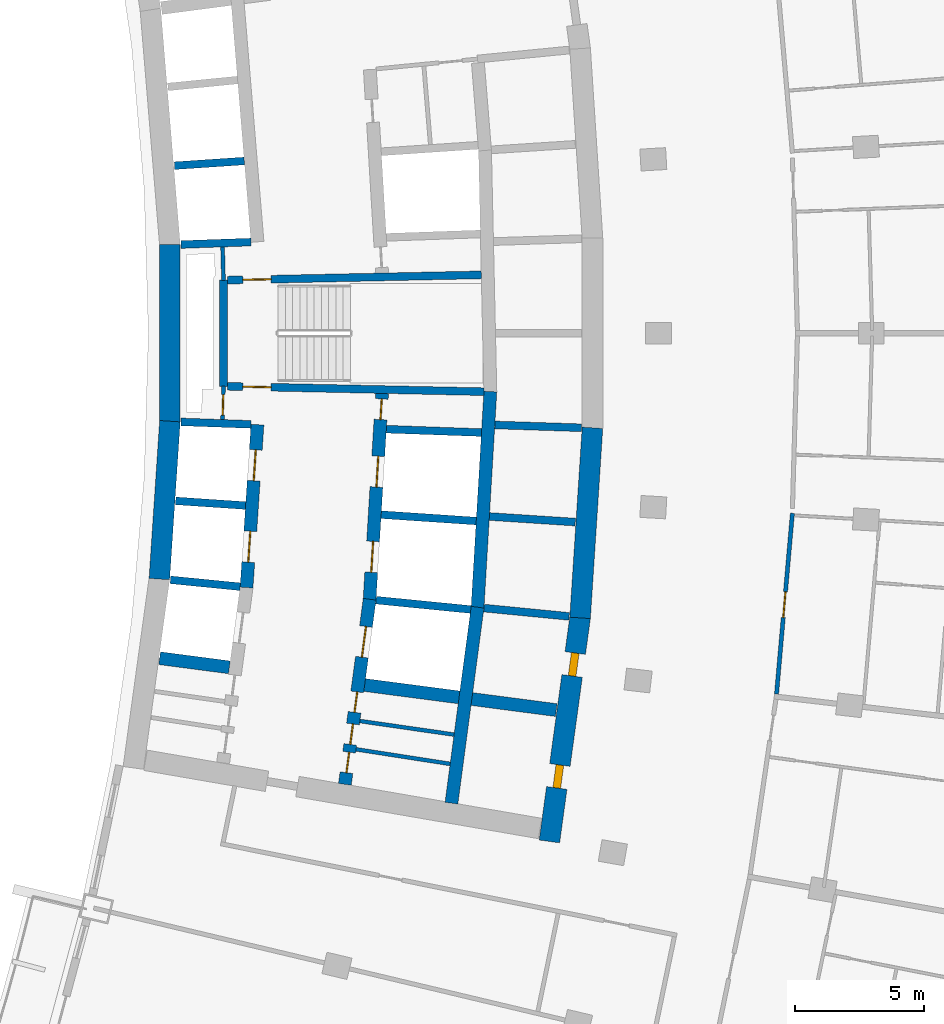
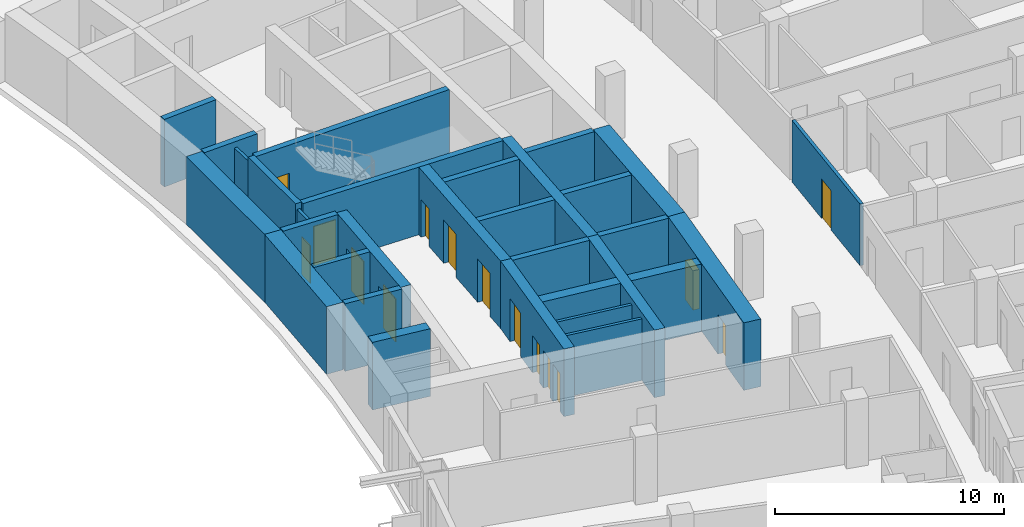
# One storey, part 16 of 25: 31 walls, 15 doors, 15 openings.
"""IFC4 building model written with IfcOpenShell, lengths in metres."""

import ifcopenshell
import ifcopenshell.guid

model = None  # the IFC model being written
_history = None  # IfcOwnerHistory: only IFC2X3 demands one
_inside = {}  # id of a spatial element -> (the spatial element, [elements in it])
_under = {}  # id of a project, library or spatial element -> (it, [spatial elements below it])
_declared = {}  # id of a project -> (the project, [libraries it declares])
_typed = {}  # id of a type object -> (the type object, [elements of that type])
_made_of = {}  # id of a material, layer set ... -> (it, [elements and type objects made of it])


def new_model(schema):
    """Start an empty IFC model of exactly this schema.

    Asked for "IFC4X3", IfcOpenShell would pick the latest addendum, in which some entities
    have other attributes; the version numbers below select the first issue.
    IFC2X3 requires an IfcOwnerHistory on every rooted entity: one is made here for all.
    """
    global model, _history
    if schema == "IFC4X3":
        model = ifcopenshell.file(schema_version=(4, 3, 0, 0))
    else:
        model = ifcopenshell.file(schema=schema)
    _inside.clear()
    _under.clear()
    _declared.clear()
    _typed.clear()
    _made_of.clear()
    _history = None
    if model.schema == "IFC2X3":
        org = make("IfcOrganization", Name="unknown")
        user = make(
            "IfcPersonAndOrganization",
            ThePerson=make("IfcPerson", FamilyName="unknown"),
            TheOrganization=org,
        )
        app = make(
            "IfcApplication",
            ApplicationDeveloper=org,
            Version="unknown",
            ApplicationFullName="unknown",
            ApplicationIdentifier="unknown",
        )
        _history = make(
            "IfcOwnerHistory",
            OwningUser=user,
            OwningApplication=app,
            ChangeAction="ADDED",
            CreationDate=0,
        )
    return model


def make(cls, **values):
    """One entity of the class cls with the attributes given. An attribute that is None is left unset."""
    return model.create_entity(
        cls, **{name: value for name, value in values.items() if value is not None}
    )


def rooted(cls, **values):
    """An entity with a GlobalId (a new one), such as an element, a storey or a relation."""
    return make(cls, GlobalId=ifcopenshell.guid.new(), OwnerHistory=_history, **values)


def si_unit(unit_type, name, prefix=None):
    """IfcSIUnit, for example si_unit("LENGTHUNIT", "METRE", prefix="MILLI")."""
    return make("IfcSIUnit", UnitType=unit_type, Prefix=prefix, Name=name)


def assignment(units):
    """IfcUnitAssignment: the units of a project."""
    return None if units is None else make("IfcUnitAssignment", Units=units)


def point(xyz):
    """IfcCartesianPoint."""
    return None if xyz is None else make("IfcCartesianPoint", Coordinates=xyz)


def direction(xyz):
    """IfcDirection."""
    return None if xyz is None else make("IfcDirection", DirectionRatios=xyz)


def frame(location, z_axis=None, x_axis=None):
    """IfcAxis2Placement3D, a coordinate frame: its origin and axes. An axis left out is left unset."""
    return make(
        "IfcAxis2Placement3D",
        Location=point(location),
        Axis=direction(z_axis),
        RefDirection=direction(x_axis),
    )


def frame_2d(location, x_axis=None):
    """IfcAxis2Placement2D, a coordinate frame in the plane: its origin and x axis."""
    return make(
        "IfcAxis2Placement2D", Location=point(location), RefDirection=direction(x_axis)
    )


def origin():
    """The frame at (0, 0, 0) with its axes left unset."""
    return frame((0.0, 0.0, 0.0))


def place(relative_to, where):
    """IfcLocalPlacement: puts the frame where relative to a parent placement (None: the world)."""
    return make(
        "IfcLocalPlacement", PlacementRelTo=relative_to, RelativePlacement=where
    )


def context(
    kind, dimensions, precision=None, world=None, true_north=None, identifier=None
):
    """IfcGeometricRepresentationContext, for example the 3D "Model" context."""
    return make(
        "IfcGeometricRepresentationContext",
        ContextIdentifier=identifier,
        ContextType=kind,
        CoordinateSpaceDimension=dimensions,
        Precision=precision,
        WorldCoordinateSystem=world,
        TrueNorth=true_north,
    )


def subcontext(parent, identifier, kind, view, scale=None):
    """IfcGeometricRepresentationSubContext, for example "Body" below "Model"."""
    return make(
        "IfcGeometricRepresentationSubContext",
        ContextIdentifier=identifier,
        ContextType=kind,
        ParentContext=parent,
        TargetScale=scale,
        TargetView=view,
    )


def project(units=None, contexts=None):
    """IfcProject with its units and contexts."""
    return rooted(
        "IfcProject",
        Name="project",
        RepresentationContexts=contexts,
        UnitsInContext=assignment(units),
    )


def spatial(cls, under=None, at=None, **own):
    """A site, building, storey or space (cls), placed at a placement, below another one or the project."""
    s = rooted(cls, ObjectPlacement=at, **own)
    if under is not None:
        _under.setdefault(under.id(), (under, []))[1].append(s)
    return s


def profile(cls, at=None, kind="AREA", **sizes):
    """A parametric profile (cls). Its sizes go by their IFC names, for example OverallWidth=200.0."""
    return make(cls, ProfileType=kind, Position=at, **sizes)


def rectangle(**sizes):
    """IfcRectangleProfileDef."""
    return profile("IfcRectangleProfileDef", **sizes)


def extrude(swept, where, along, depth):
    """IfcExtrudedAreaSolid: the profile swept, set in the frame where, extruded along a direction by depth."""
    return make(
        "IfcExtrudedAreaSolid",
        SweptArea=swept,
        Position=where,
        ExtrudedDirection=direction(along),
        Depth=depth,
    )


def shape(context_of_items, identifier, shape_type, items):
    """IfcShapeRepresentation: the items that make up one representation, for example the "Body"."""
    return make(
        "IfcShapeRepresentation",
        ContextOfItems=context_of_items,
        RepresentationIdentifier=identifier,
        RepresentationType=shape_type,
        Items=items,
    )


def material(Name=None, Category=None):
    """IfcMaterial."""
    return make("IfcMaterial", Name=Name, Category=Category)


def layer(
    of_material, thickness, ventilated=None, Name=None, Category=None, Priority=None
):
    """IfcMaterialLayer: one layer of a wall or slab, of a material (None: an air gap)."""
    return make(
        "IfcMaterialLayer",
        Material=of_material,
        LayerThickness=thickness,
        IsVentilated=ventilated,
        Name=Name,
        Category=Category,
        Priority=Priority,
    )


def layer_set(layers, Name=None):
    """IfcMaterialLayerSet."""
    return make("IfcMaterialLayerSet", MaterialLayers=layers, LayerSetName=Name)


def made_of(thing, what):
    """Note that an element or type object is made of a material, layer set ...; save() writes the relation."""
    if what is not None:
        _made_of.setdefault(what.id(), (what, []))[1].append(thing)
    return thing


def type_object(cls, material=None, **own):
    """A type object (cls), such as IfcWallType, which elements share."""
    return made_of(rooted(cls, **own), material)


def element(
    cls,
    number,
    at=None,
    inside=None,
    cuts=None,
    type_object=None,
    material=None,
    context=None,
    identifier="Body",
    shape_type=None,
    held_by="IfcProductDefinitionShape",
    body=None,
    shapes=None,
    **own,
):
    """One element of the class cls, such as IfcWall. Its Tag is "e" and its number.

    at: its placement. inside: the storey or other place that contains it. cuts: it is an
    opening in that element (IfcRelVoidsElement). A single representation is given by context,
    identifier, shape_type and body (its items); several are given by shapes. held_by: the class
    of the entity that holds the representations. save() writes the other relations.
    """
    e = rooted(cls, Tag="e%d" % number, ObjectPlacement=at, **own)
    if body is not None:
        shapes = [shape(context, identifier, shape_type, body)]
    if shapes is not None:
        e.Representation = make(held_by, Representations=shapes)
    if inside is not None:
        _inside.setdefault(inside.id(), (inside, []))[1].append(e)
    if cuts is not None:
        rooted(
            "IfcRelVoidsElement", RelatingBuildingElement=cuts, RelatedOpeningElement=e
        )
    if type_object is not None:
        _typed.setdefault(type_object.id(), (type_object, []))[1].append(e)
    return made_of(e, material)


def fill(opening, filler):
    """IfcRelFillsElement: the door or window that sits in an opening."""
    return rooted(
        "IfcRelFillsElement",
        RelatingOpeningElement=opening,
        RelatedBuildingElement=filler,
    )


def aggregate(whole, parts):
    """IfcRelAggregates: a whole, such as a stair, and the parts it consists of."""
    return rooted("IfcRelAggregates", RelatingObject=whole, RelatedObjects=parts)


def save(model, path):
    """Write the relations noted so far, then the file.

    IfcRelAggregates (storeys below a building ...), IfcRelContainedInSpatialStructure (elements
    in a storey), IfcRelDefinesByType, IfcRelAssociatesMaterial and IfcRelDeclares: one each for
    every whole, place, type object, material and project.
    """
    for whole, parts in _under.values():
        aggregate(whole, parts)
    for where, things in _inside.values():
        rooted(
            "IfcRelContainedInSpatialStructure",
            RelatedElements=things,
            RelatingStructure=where,
        )
    for kind, things in _typed.values():
        rooted("IfcRelDefinesByType", RelatedObjects=things, RelatingType=kind)
    for what, things in _made_of.values():
        rooted("IfcRelAssociatesMaterial", RelatedObjects=things, RelatingMaterial=what)
    for by, libraries in _declared.values():
        rooted("IfcRelDeclares", RelatingContext=by, RelatedDefinitions=libraries)
    model.write(path)


model = new_model("IFC4")

# Units and contexts
model_context = context("Model", 3, precision=1e-05, world=origin(), true_north=direction((0.0, 1.0)))
body_context = subcontext(model_context, "Body", "Model", "MODEL_VIEW")
ifc_project = project(units=[si_unit("LENGTHUNIT", "METRE"), si_unit("AREAUNIT", "SQUARE_METRE"), si_unit("VOLUMEUNIT", "CUBIC_METRE"), si_unit("PLANEANGLEUNIT", "RADIAN"), si_unit("MASSUNIT", "GRAM", prefix="KILO")], contexts=[model_context])

# Site, building, storey
site_placement = place(None, origin())
site = spatial("IfcSite", under=ifc_project, at=site_placement, CompositionType="ELEMENT")
building_placement = place(site_placement, origin())
building = spatial("IfcBuilding", under=site, at=building_placement, Name="Alderwake Tower", CompositionType="ELEMENT")
storey_placement = place(building_placement, frame((0.0, 0.0, 122.0)))
storey = spatial("IfcBuildingStorey", under=building, at=storey_placement, Name="L30", CompositionType="ELEMENT", Elevation=122.0)

# Wall, opening, door
ifc_material_1 = material(Name="Gypsum shaft wall system, rated")
ifc_layer_1 = layer(ifc_material_1, 0.14990234375)
ifc_layer_set_1 = layer_set([ifc_layer_1], Name="Core room partition 150")
wall_type_1 = type_object("IfcWallType", Name="Core room partition 150", PredefinedType="PARTITIONING", material=ifc_layer_set_1)
wall_1_placement = place(storey_placement, frame((18.918701171875, 58.94384765625, 0.0), z_axis=(0.0, 0.0, 1.0), x_axis=(-0.027348257573, -0.999625966453, 0.0)))
wall_1 = element("IfcWall", 1, at=wall_1_placement, inside=storey, type_object=wall_type_1, Name="CW/L30/PA+24_-37", PredefinedType="PARTITIONING", context=body_context, shape_type="SweptSolid", body=[
    extrude(rectangle(XDim=1.29443359375, YDim=0.14990234375, at=frame_2d((0.647216796875, 0.0))), origin(), (0.0, 0.0, 1.0), 3.280029296875),
])
opening_1_placement = place(wall_1_placement, frame((0.322998046875, 0.0, 0.0)))
opening_1 = element("IfcOpeningElement", 2, at=opening_1_placement, cuts=wall_1, Name="Opening C004", PredefinedType="OPENING", context=body_context, shape_type="SweptSolid", body=[
    extrude(rectangle(XDim=0.800048828125, YDim=2.0, at=frame_2d((0.39990234375, 1.0))), frame((0.0, 0.0849609375, 0.0), z_axis=(0.0, -1.0, 0.0), x_axis=(1.0, 0.0, 0.0)), (0.0, 0.0, 1.0), 0.169921875),
])
ifc_material_2 = material(Name="Painted steel leaf, rated", Category="steel")
door_type_1 = type_object("IfcDoorType", Name="Riser access door 800", OperationType="SINGLE_SWING_LEFT", PredefinedType="DOOR", material=ifc_material_2)
door_1_placement = place(opening_1_placement, origin())
door_1 = element("IfcDoor", 3, at=door_1_placement, inside=storey, type_object=door_type_1, Name="Riser access door", OperationType="SINGLE_SWING_RIGHT", OverallHeight=2.0, OverallWidth=0.800048828125, PredefinedType="DOOR", context=body_context, shape_type="SweptSolid", body=[
    extrude(rectangle(XDim=0.800048828125, YDim=2.0, at=frame_2d((0.39990234375, 1.0))), frame((0.0, 0.02490234375, 0.0), z_axis=(0.0, -1.0, 0.0), x_axis=(1.0, 0.0, 0.0)), (0.0, 0.0, 1.0), 0.050048828125),
])
fill(opening_1, door_1)

# Walls
wall_2_placement = place(storey_placement, frame((18.918701171875, 63.05517578125, 0.0), z_axis=(0.0, 0.0, 1.0), x_axis=(-0.027327648352, 0.999626530078, 0.0)))
element("IfcWall", 4, at=wall_2_placement, inside=storey, type_object=wall_type_1, Name="CW/L30/PA+24_+22", PredefinedType="PARTITIONING", context=body_context, shape_type="SweptSolid", body=[
    extrude(rectangle(XDim=1.29541015625, YDim=0.14990234375, at=frame_2d((0.647705078125, 0.0))), origin(), (0.0, 0.0, 1.0), 3.280029296875),
])
wall_3_placement = place(storey_placement, frame((24.065185546875, 44.85009765625, 0.0), z_axis=(0.0, 0.0, 1.0), x_axis=(0.988172350529, -0.153347336626, 0.0)))
element("IfcWall", 5, at=wall_3_placement, inside=storey, type_object=wall_type_1, Name="CW/L30/PR-161_+86", PredefinedType="PARTITIONING", context=body_context, shape_type="SweptSolid", body=[
    extrude(rectangle(XDim=3.69677734375, YDim=0.14990234375, at=frame_2d((1.848388671875, 0.0))), origin(), (0.0, 0.0, 1.0), 3.280029296875),
])
wall_4_placement = place(storey_placement, frame((24.212158203125, 45.9482421875, 0.0), z_axis=(0.0, 0.0, 1.0), x_axis=(0.989728979978, -0.142956448583, 0.0)))
element("IfcWall", 6, at=wall_4_placement, inside=storey, type_object=wall_type_1, Name="CW/L30/PR-150_+86", PredefinedType="PARTITIONING", context=body_context, shape_type="SweptSolid", body=[
    extrude(rectangle(XDim=3.695556640625, YDim=0.14990234375, at=frame_2d((1.84765625, 0.0))), origin(), (0.0, 0.0, 1.0), 3.280029296875),
])
ifc_material_3 = material(Name="Concrete C70/85", Category="concrete")
ifc_layer_2 = layer(ifc_material_3, 0.800048828125)
ifc_layer_set_2 = layer_set([ifc_layer_2], Name="Core wall outer 800 C70-85")
wall_type_2 = type_object("IfcWallType", Name="Core wall outer 800 C70-85", PredefinedType="SHEAR", material=ifc_layer_set_2)
wall_5_placement = place(storey_placement, frame((16.429443359375, 51.45654296875, 0.0), z_axis=(0.0, 0.0, 1.0), x_axis=(0.066885651624, 0.997760647454, 0.0)))
element("IfcWall", 7, at=wall_5_placement, inside=storey, type_object=wall_type_2, Name="Core wall CW.041", PredefinedType="SHEAR", context=body_context, shape_type="SweptSolid", body=[
    extrude(rectangle(XDim=6.14306640625, YDim=0.800048828125, at=frame_2d((3.071533203125, 0.0))), origin(), (0.0, 0.0, 1.0), 3.60009765625),
])
wall_6_placement = place(storey_placement, frame((16.83935546875, 57.558349609375, 0.0), z_axis=(0.0, 0.0, 1.0), x_axis=(0.0, 1.0, 0.0)))
element("IfcWall", 8, at=wall_6_placement, inside=storey, type_object=wall_type_2, Name="Core wall CW.043", PredefinedType="SHEAR", context=body_context, shape_type="SweptSolid", body=[
    extrude(rectangle(XDim=6.886474609375, YDim=0.800048828125, at=frame_2d((3.443359375, 0.0))), origin(), (0.0, 0.0, 1.0), 3.60009765625),
])

# Wall, openings, doors
wall_7_placement = place(storey_placement, frame((32.763427734375, 49.980712890625, 0.0), z_axis=(0.0, 0.0, 1.0), x_axis=(-0.135838347444, -0.990731014637, 0.0)))
wall_7 = element("IfcWall", 9, at=wall_7_placement, inside=storey, type_object=wall_type_2, Name="Core wall CW.012", PredefinedType="SHEAR", context=body_context, shape_type="SweptSolid", body=[
    extrude(rectangle(XDim=8.788818359375, YDim=0.800048828125, at=frame_2d((4.39453125, 0.0))), origin(), (0.0, 0.0, 1.0), 3.60009765625),
])
opening_2_placement = place(wall_7_placement, frame((1.40576171875, 0.0, 0.0)))
opening_2 = element("IfcOpeningElement", 10, at=opening_2_placement, cuts=wall_7, Name="Opening C050", PredefinedType="OPENING", context=body_context, shape_type="SweptSolid", body=[
    extrude(rectangle(XDim=0.89990234375, YDim=2.10009765625, at=frame_2d((0.449951171875, 1.050048828125))), frame((0.0, 0.409912109375, 0.0), z_axis=(0.0, -1.0, 0.0), x_axis=(1.0, 0.0, 0.0)), (0.0, 0.0, 1.0), 0.820068359375),
])
opening_3_placement = place(wall_7_placement, frame((5.79345703125, 0.0, 0.0)))
opening_3 = element("IfcOpeningElement", 11, at=opening_3_placement, cuts=wall_7, Name="Opening C061", PredefinedType="OPENING", context=body_context, shape_type="SweptSolid", body=[
    extrude(rectangle(XDim=0.89990234375, YDim=2.10009765625, at=frame_2d((0.449951171875, 1.050048828125))), frame((0.0, 0.409912109375, 0.0), z_axis=(0.0, -1.0, 0.0), x_axis=(1.0, 0.0, 0.0)), (0.0, 0.0, 1.0), 0.820068359375),
])
ifc_material_4 = material(Name="Painted steel leaf", Category="steel")
door_type_2 = type_object("IfcDoorType", Name="Core room door 900", OperationType="SINGLE_SWING_LEFT", PredefinedType="DOOR", material=ifc_material_4)
door_2_placement = place(opening_2_placement, origin())
door_2 = element("IfcDoor", 12, at=door_2_placement, inside=storey, type_object=door_type_2, Name="Room door", OperationType="SINGLE_SWING_RIGHT", OverallHeight=2.10009765625, OverallWidth=0.89990234375, PredefinedType="DOOR", context=body_context, shape_type="SweptSolid", body=[
    extrude(rectangle(XDim=0.89990234375, YDim=2.10009765625, at=frame_2d((0.449951171875, 1.050048828125))), frame((0.0, 0.14990234375, 0.0), z_axis=(0.0, -1.0, 0.0), x_axis=(1.0, 0.0, 0.0)), (0.0, 0.0, 1.0), 0.300048828125),
])
fill(opening_2, door_2)
door_3_placement = place(opening_3_placement, origin())
door_3 = element("IfcDoor", 13, at=door_3_placement, inside=storey, type_object=door_type_2, Name="Room door", OperationType="SINGLE_SWING_LEFT", OverallHeight=2.10009765625, OverallWidth=0.89990234375, PredefinedType="DOOR", context=body_context, shape_type="SweptSolid", body=[
    extrude(rectangle(XDim=0.89990234375, YDim=2.10009765625, at=frame_2d((0.449951171875, 1.050048828125))), frame((0.0, 0.14990234375, 0.0), z_axis=(0.0, -1.0, 0.0), x_axis=(1.0, 0.0, 0.0)), (0.0, 0.0, 1.0), 0.300048828125),
])
fill(opening_3, door_3)

# Walls
wall_8_placement = place(storey_placement, frame((32.760498046875, 49.951416015625, 0.0), z_axis=(0.0, 0.0, 1.0), x_axis=(0.064976219143, 0.997886812693, 0.0)))
element("IfcWall", 14, at=wall_8_placement, inside=storey, type_object=wall_type_2, Name="Core wall CW.011", PredefinedType="SHEAR", context=body_context, shape_type="SweptSolid", body=[
    extrude(rectangle(XDim=7.39453125, YDim=0.800048828125, at=frame_2d((3.697265625, 0.0))), origin(), (0.0, 0.0, 1.0), 3.60009765625),
])
ifc_material_5 = material(Name="Concrete C70/85", Category="concrete")
ifc_layer_3 = layer(ifc_material_5, 0.300048828125)
ifc_layer_set_3 = layer_set([ifc_layer_3], Name="Core wall shaft 300 C70-85")
wall_type_3 = type_object("IfcWallType", Name="Core wall shaft 300 C70-85", PredefinedType="SHEAR", material=ifc_layer_set_3)
wall_9_placement = place(storey_placement, frame((16.8583984375, 51.4287109375, 0.0), z_axis=(0.0, 0.0, 1.0), x_axis=(0.995157330456, -0.098294901394, 0.0)))
element("IfcWall", 15, at=wall_9_placement, inside=storey, type_object=wall_type_3, Name="Core wall CW.065", PredefinedType="SHEAR", context=body_context, shape_type="SweptSolid", body=[
    extrude(rectangle(XDim=2.7197265625, YDim=0.300048828125, at=frame_2d((1.35986328125, 0.0))), origin(), (0.0, 0.0, 1.0), 3.60009765625),
])
wall_10_placement = place(storey_placement, frame((24.839599609375, 50.64013671875, 0.0), z_axis=(0.0, 0.0, 1.0), x_axis=(0.995150987401, -0.098359098589, 0.0)))
element("IfcWall", 16, at=wall_10_placement, inside=storey, type_object=wall_type_3, Name="Core wall CW.066", PredefinedType="SHEAR", context=body_context, shape_type="SweptSolid", body=[
    extrude(rectangle(XDim=3.69580078125, YDim=0.300048828125, at=frame_2d((1.847900390625, 0.0))), origin(), (0.0, 0.0, 1.0), 3.60009765625),
])
wall_11_placement = place(storey_placement, frame((29.029296875, 50.331298828125, 0.0), z_axis=(0.0, 0.0, 1.0), x_axis=(0.995248248589, -0.097370034814, 0.0)))
element("IfcWall", 17, at=wall_11_placement, inside=storey, type_object=wall_type_3, Name="Core wall CW.064", PredefinedType="SHEAR", context=body_context, shape_type="SweptSolid", body=[
    extrude(rectangle(XDim=3.31982421875, YDim=0.300048828125, at=frame_2d((1.659912109375, 0.0))), origin(), (0.0, 0.0, 1.0), 3.60009765625),
])
wall_12_placement = place(storey_placement, frame((17.06396484375, 54.492919921875, 0.0), z_axis=(0.0, 0.0, 1.0), x_axis=(0.997758851023, -0.066912444326, 0.0)))
element("IfcWall", 18, at=wall_12_placement, inside=storey, type_object=wall_type_3, Name="Core wall CW.079", PredefinedType="SHEAR", context=body_context, shape_type="SweptSolid", body=[
    extrude(rectangle(XDim=2.71826171875, YDim=0.300048828125, at=frame_2d((1.359130859375, 0.0))), origin(), (0.0, 0.0, 1.0), 3.60009765625),
])
wall_13_placement = place(storey_placement, frame((25.0400390625, 53.9580078125, 0.0), z_axis=(0.0, 0.0, 1.0), x_axis=(0.997759957359, -0.066895945251, 0.0)))
element("IfcWall", 19, at=wall_13_placement, inside=storey, type_object=wall_type_3, Name="Core wall CW.080", PredefinedType="SHEAR", context=body_context, shape_type="SweptSolid", body=[
    extrude(rectangle(XDim=3.697021484375, YDim=0.300048828125, at=frame_2d((1.8486328125, 0.0))), origin(), (0.0, 0.0, 1.0), 3.60009765625),
])
wall_14_placement = place(storey_placement, frame((29.239990234375, 53.886474609375, 0.0), z_axis=(0.0, 0.0, 1.0), x_axis=(0.997884954999, -0.0650047428, 0.0)))
element("IfcWall", 20, at=wall_14_placement, inside=storey, type_object=wall_type_3, Name="Core wall CW.078", PredefinedType="SHEAR", context=body_context, shape_type="SweptSolid", body=[
    extrude(rectangle(XDim=3.3388671875, YDim=0.300048828125, at=frame_2d((1.66943359375, 0.0))), origin(), (0.0, 0.0, 1.0), 3.60009765625),
])
wall_15_placement = place(storey_placement, frame((17.269287109375, 57.556884765625, 0.0), z_axis=(0.0, 0.0, 1.0), x_axis=(0.999374351644, -0.035368139275, 0.0)))
element("IfcWall", 21, at=wall_15_placement, inside=storey, type_object=wall_type_3, Name="Core wall CW.076", PredefinedType="SHEAR", context=body_context, shape_type="SweptSolid", body=[
    extrude(rectangle(XDim=2.7197265625, YDim=0.300048828125, at=frame_2d((1.35986328125, 0.0))), origin(), (0.0, 0.0, 1.0), 3.60009765625),
])
wall_16_placement = place(storey_placement, frame((25.240478515625, 57.27490234375, 0.0), z_axis=(0.0, 0.0, 1.0), x_axis=(0.999372332678, -0.035425141877, 0.0)))
element("IfcWall", 22, at=wall_16_placement, inside=storey, type_object=wall_type_3, Name="Core wall CW.077", PredefinedType="SHEAR", context=body_context, shape_type="SweptSolid", body=[
    extrude(rectangle(XDim=3.69384765625, YDim=0.300048828125, at=frame_2d((1.846923828125, 0.0))), origin(), (0.0, 0.0, 1.0), 3.60009765625),
])
wall_17_placement = place(storey_placement, frame((29.45068359375, 57.440185546875, 0.0), z_axis=(0.0, 0.0, 1.0), x_axis=(0.999470404779, -0.0325408969, 0.0)))
element("IfcWall", 23, at=wall_17_placement, inside=storey, type_object=wall_type_3, Name="Core wall CW.075", PredefinedType="SHEAR", context=body_context, shape_type="SweptSolid", body=[
    extrude(rectangle(XDim=3.361083984375, YDim=0.300048828125, at=frame_2d((1.6806640625, 0.0))), origin(), (0.0, 0.0, 1.0), 3.60009765625),
])
wall_18_placement = place(storey_placement, frame((17.269287109375, 64.443115234375, 0.0), z_axis=(0.0, 0.0, 1.0), x_axis=(0.999374239339, 0.03537131246, 0.0)))
element("IfcWall", 24, at=wall_18_placement, inside=storey, type_object=wall_type_3, Name="Core wall CW.059", PredefinedType="SHEAR", context=body_context, shape_type="SweptSolid", body=[
    extrude(rectangle(XDim=2.719482421875, YDim=0.300048828125, at=frame_2d((1.35986328125, 0.0))), origin(), (0.0, 0.0, 1.0), 3.60009765625),
])
wall_19_placement = place(storey_placement, frame((17.015869140625, 67.50390625, 0.0), z_axis=(0.0, 0.0, 1.0), x_axis=(0.997756033475, 0.066954444689, 0.0)))
element("IfcWall", 25, at=wall_19_placement, inside=storey, type_object=wall_type_3, Name="Core wall CW.062", PredefinedType="SHEAR", context=body_context, shape_type="SweptSolid", body=[
    extrude(rectangle(XDim=2.716552734375, YDim=0.300048828125, at=frame_2d((1.3583984375, 0.0))), origin(), (0.0, 0.0, 1.0), 3.60009765625),
])

# Wall, openings, doors
ifc_material_6 = material(Name="Concrete C70/85", Category="concrete")
ifc_layer_4 = layer(ifc_material_6, 0.5)
ifc_layer_set_4 = layer_set([ifc_layer_4], Name="Core wall spine 500 C70-85")
wall_type_4 = type_object("IfcWallType", Name="Core wall spine 500 C70-85", PredefinedType="SHEAR", material=ifc_layer_set_4)
wall_20_placement = place(storey_placement, frame((19.813232421875, 51.1279296875, 0.0), z_axis=(0.0, 0.0, 1.0), x_axis=(0.066907604831, 0.997759175561, 0.0)))
wall_20 = element("IfcWall", 26, at=wall_20_placement, inside=storey, type_object=wall_type_4, Name="Core wall CW.032", PredefinedType="SHEAR", context=body_context, shape_type="SweptSolid", body=[
    extrude(rectangle(XDim=6.338134765625, YDim=0.5, at=frame_2d((3.1689453125, 0.0))), origin(), (0.0, 0.0, 1.0), 3.60009765625),
])
opening_4_placement = place(wall_20_placement, frame((0.990966796875, 0.0, 0.0)))
opening_4 = element("IfcOpeningElement", 27, at=opening_4_placement, cuts=wall_20, Name="Opening LD-LP2", PredefinedType="OPENING", context=body_context, shape_type="SweptSolid", body=[
    extrude(rectangle(XDim=1.199951171875, YDim=2.300048828125, at=frame_2d((0.60009765625, 1.14990234375))), frame((0.0, 0.260009765625, 0.0), z_axis=(0.0, -1.0, 0.0), x_axis=(1.0, 0.0, 0.0)), (0.0, 0.0, 1.0), 0.52001953125),
])
opening_5_placement = place(wall_20_placement, frame((4.156005859375, 0.0, 0.0)))
opening_5 = element("IfcOpeningElement", 28, at=opening_5_placement, cuts=wall_20, Name="Opening LD-LP3", PredefinedType="OPENING", context=body_context, shape_type="SweptSolid", body=[
    extrude(rectangle(XDim=1.199951171875, YDim=2.300048828125, at=frame_2d((0.60009765625, 1.14990234375))), frame((0.0, 0.260009765625, 0.0), z_axis=(0.0, -1.0, 0.0), x_axis=(1.0, 0.0, 0.0)), (0.0, 0.0, 1.0), 0.52001953125),
])
ifc_material_7 = material(Name="Stainless steel sliding leaf", Category="steel")
door_type_3 = type_object("IfcDoorType", Name="Lift landing door 1200", OperationType="SLIDING_TO_LEFT", PredefinedType="DOOR", material=ifc_material_7)
door_4_placement = place(opening_4_placement, origin())
door_4 = element("IfcDoor", 29, at=door_4_placement, inside=storey, type_object=door_type_3, Name="Lift landing door LP2", OperationType="SLIDING_TO_LEFT", OverallHeight=2.300048828125, OverallWidth=1.199951171875, PredefinedType="DOOR", context=body_context, shape_type="SweptSolid", body=[
    extrude(rectangle(XDim=1.199951171875, YDim=2.300048828125, at=frame_2d((0.60009765625, 1.14990234375))), frame((0.0, 0.02490234375, 0.0), z_axis=(0.0, -1.0, 0.0), x_axis=(1.0, 0.0, 0.0)), (0.0, 0.0, 1.0), 0.050048828125),
])
fill(opening_4, door_4)
door_5_placement = place(opening_5_placement, origin())
door_5 = element("IfcDoor", 30, at=door_5_placement, inside=storey, type_object=door_type_3, Name="Lift landing door LP3", OperationType="SLIDING_TO_LEFT", OverallHeight=2.300048828125, OverallWidth=1.199951171875, PredefinedType="DOOR", context=body_context, shape_type="SweptSolid", body=[
    extrude(rectangle(XDim=1.199951171875, YDim=2.300048828125, at=frame_2d((0.60009765625, 1.14990234375))), frame((0.0, 0.02490234375, 0.0), z_axis=(0.0, -1.0, 0.0), x_axis=(1.0, 0.0, 0.0)), (0.0, 0.0, 1.0), 0.050048828125),
])
fill(opening_5, door_5)

wall_21_placement = place(storey_placement, frame((23.631103515625, 43.489501953125, 0.0), z_axis=(0.0, 0.0, 1.0), x_axis=(0.132532135635, 0.991178708924, 0.0)))
wall_21 = element("IfcWall", 31, at=wall_21_placement, inside=storey, type_object=wall_type_4, Name="Core wall CW.047", PredefinedType="SHEAR", context=body_context, shape_type="SweptSolid", body=[
    extrude(rectangle(XDim=7.248779296875, YDim=0.5, at=frame_2d((3.62451171875, 0.0))), origin(), (0.0, 0.0, 1.0), 3.60009765625),
])
opening_6_placement = place(wall_21_placement, frame((4.981201171875, 0.0, 0.0)))
opening_6 = element("IfcOpeningElement", 32, at=opening_6_placement, cuts=wall_21, Name="Opening LD-LP4", PredefinedType="OPENING", context=body_context, shape_type="SweptSolid", body=[
    extrude(rectangle(XDim=1.199951171875, YDim=2.300048828125, at=frame_2d((0.60009765625, 1.14990234375))), frame((0.0, 0.260009765625, 0.0), z_axis=(0.0, -1.0, 0.0), x_axis=(1.0, 0.0, 0.0)), (0.0, 0.0, 1.0), 0.52001953125),
])
opening_7_placement = place(wall_21_placement, frame((0.4580078125, 0.0, 0.0)))
opening_7 = element("IfcOpeningElement", 33, at=opening_7_placement, cuts=wall_21, Name="Opening C016", PredefinedType="OPENING", context=body_context, shape_type="SweptSolid", body=[
    extrude(rectangle(XDim=0.800048828125, YDim=2.0, at=frame_2d((0.39990234375, 1.0))), frame((0.0, 0.260009765625, 0.0), z_axis=(0.0, -1.0, 0.0), x_axis=(1.0, 0.0, 0.0)), (0.0, 0.0, 1.0), 0.52001953125),
])
opening_8_placement = place(wall_21_placement, frame((1.563232421875, 0.0, 0.0)))
opening_8 = element("IfcOpeningElement", 34, at=opening_8_placement, cuts=wall_21, Name="Opening C018", PredefinedType="OPENING", context=body_context, shape_type="SweptSolid", body=[
    extrude(rectangle(XDim=0.800048828125, YDim=2.0, at=frame_2d((0.39990234375, 1.0))), frame((0.0, 0.260009765625, 0.0), z_axis=(0.0, -1.0, 0.0), x_axis=(1.0, 0.0, 0.0)), (0.0, 0.0, 1.0), 0.52001953125),
])
opening_9_placement = place(wall_21_placement, frame((2.819580078125, 0.0, 0.0)))
opening_9 = element("IfcOpeningElement", 35, at=opening_9_placement, cuts=wall_21, Name="Opening C019", PredefinedType="OPENING", context=body_context, shape_type="SweptSolid", body=[
    extrude(rectangle(XDim=0.800048828125, YDim=2.0, at=frame_2d((0.39990234375, 1.0))), frame((0.0, 0.260009765625, 0.0), z_axis=(0.0, -1.0, 0.0), x_axis=(1.0, 0.0, 0.0)), (0.0, 0.0, 1.0), 0.52001953125),
])
door_6_placement = place(opening_6_placement, origin())
door_6 = element("IfcDoor", 36, at=door_6_placement, inside=storey, type_object=door_type_3, Name="Lift landing door LP4", OperationType="SLIDING_TO_LEFT", OverallHeight=2.300048828125, OverallWidth=1.199951171875, PredefinedType="DOOR", context=body_context, shape_type="SweptSolid", body=[
    extrude(rectangle(XDim=1.199951171875, YDim=2.300048828125, at=frame_2d((0.60009765625, 1.14990234375))), frame((0.0, 0.02490234375, 0.0), z_axis=(0.0, -1.0, 0.0), x_axis=(1.0, 0.0, 0.0)), (0.0, 0.0, 1.0), 0.050048828125),
])
fill(opening_6, door_6)
door_7_placement = place(opening_7_placement, origin())
door_7 = element("IfcDoor", 37, at=door_7_placement, inside=storey, type_object=door_type_1, Name="Riser access door", OperationType="SINGLE_SWING_RIGHT", OverallHeight=2.0, OverallWidth=0.800048828125, PredefinedType="DOOR", context=body_context, shape_type="SweptSolid", body=[
    extrude(rectangle(XDim=0.800048828125, YDim=2.0, at=frame_2d((0.39990234375, 1.0))), frame((0.0, 0.02490234375, 0.0), z_axis=(0.0, -1.0, 0.0), x_axis=(1.0, 0.0, 0.0)), (0.0, 0.0, 1.0), 0.050048828125),
])
fill(opening_7, door_7)
door_8_placement = place(opening_8_placement, origin())
door_8 = element("IfcDoor", 38, at=door_8_placement, inside=storey, type_object=door_type_1, Name="Riser access door", OperationType="SINGLE_SWING_LEFT", OverallHeight=2.0, OverallWidth=0.800048828125, PredefinedType="DOOR", context=body_context, shape_type="SweptSolid", body=[
    extrude(rectangle(XDim=0.800048828125, YDim=2.0, at=frame_2d((0.39990234375, 1.0))), frame((0.0, 0.02490234375, 0.0), z_axis=(0.0, -1.0, 0.0), x_axis=(1.0, 0.0, 0.0)), (0.0, 0.0, 1.0), 0.050048828125),
])
fill(opening_8, door_8)
door_9_placement = place(opening_9_placement, origin())
door_9 = element("IfcDoor", 39, at=door_9_placement, inside=storey, type_object=door_type_1, Name="Riser access door", OperationType="SINGLE_SWING_RIGHT", OverallHeight=2.0, OverallWidth=0.800048828125, PredefinedType="DOOR", context=body_context, shape_type="SweptSolid", body=[
    extrude(rectangle(XDim=0.800048828125, YDim=2.0, at=frame_2d((0.39990234375, 1.0))), frame((0.0, 0.02490234375, 0.0), z_axis=(0.0, -1.0, 0.0), x_axis=(1.0, 0.0, 0.0)), (0.0, 0.0, 1.0), 0.050048828125),
])
fill(opening_9, door_9)

wall_22_placement = place(storey_placement, frame((24.590087890625, 50.655029296875, 0.0), z_axis=(0.0, 0.0, 1.0), x_axis=(0.060305817737, 0.998179947879, 0.0)))
wall_22 = element("IfcWall", 40, at=wall_22_placement, inside=storey, type_object=wall_type_4, Name="Core wall CW.046", PredefinedType="SHEAR", context=body_context, shape_type="SweptSolid", body=[
    extrude(rectangle(XDim=8.02392578125, YDim=0.5, at=frame_2d((4.011962890625, 0.0))), origin(), (0.0, 0.0, 1.0), 3.60009765625),
])
opening_10_placement = place(wall_22_placement, frame((1.067138671875, 0.0, 0.0)))
opening_10 = element("IfcOpeningElement", 41, at=opening_10_placement, cuts=wall_22, Name="Opening LD-LP5", PredefinedType="OPENING", context=body_context, shape_type="SweptSolid", body=[
    extrude(rectangle(XDim=1.199951171875, YDim=2.300048828125, at=frame_2d((0.60009765625, 1.14990234375))), frame((0.0, 0.260009765625, 0.0), z_axis=(0.0, -1.0, 0.0), x_axis=(1.0, 0.0, 0.0)), (0.0, 0.0, 1.0), 0.52001953125),
])
opening_11_placement = place(wall_22_placement, frame((4.383544921875, 0.0, 0.0)))
opening_11 = element("IfcOpeningElement", 42, at=opening_11_placement, cuts=wall_22, Name="Opening LD-LP6", PredefinedType="OPENING", context=body_context, shape_type="SweptSolid", body=[
    extrude(rectangle(XDim=1.199951171875, YDim=2.300048828125, at=frame_2d((0.60009765625, 1.14990234375))), frame((0.0, 0.260009765625, 0.0), z_axis=(0.0, -1.0, 0.0), x_axis=(1.0, 0.0, 0.0)), (0.0, 0.0, 1.0), 0.52001953125),
])
opening_12_placement = place(wall_22_placement, frame((7.0078125, 0.0, 0.0)))
opening_12 = element("IfcOpeningElement", 43, at=opening_12_placement, cuts=wall_22, Name="Opening C006", PredefinedType="OPENING", context=body_context, shape_type="SweptSolid", body=[
    extrude(rectangle(XDim=0.800048828125, YDim=2.0, at=frame_2d((0.39990234375, 1.0))), frame((0.0, 0.260009765625, 0.0), z_axis=(0.0, -1.0, 0.0), x_axis=(1.0, 0.0, 0.0)), (0.0, 0.0, 1.0), 0.52001953125),
])
door_10_placement = place(opening_10_placement, origin())
door_10 = element("IfcDoor", 44, at=door_10_placement, inside=storey, type_object=door_type_3, Name="Lift landing door LP5", OperationType="SLIDING_TO_LEFT", OverallHeight=2.300048828125, OverallWidth=1.199951171875, PredefinedType="DOOR", context=body_context, shape_type="SweptSolid", body=[
    extrude(rectangle(XDim=1.199951171875, YDim=2.300048828125, at=frame_2d((0.60009765625, 1.14990234375))), frame((0.0, 0.02490234375, 0.0), z_axis=(0.0, -1.0, 0.0), x_axis=(1.0, 0.0, 0.0)), (0.0, 0.0, 1.0), 0.050048828125),
])
fill(opening_10, door_10)
door_11_placement = place(opening_11_placement, origin())
door_11 = element("IfcDoor", 45, at=door_11_placement, inside=storey, type_object=door_type_3, Name="Lift landing door LP6", OperationType="SLIDING_TO_LEFT", OverallHeight=2.300048828125, OverallWidth=1.199951171875, PredefinedType="DOOR", context=body_context, shape_type="SweptSolid", body=[
    extrude(rectangle(XDim=1.199951171875, YDim=2.300048828125, at=frame_2d((0.60009765625, 1.14990234375))), frame((0.0, 0.02490234375, 0.0), z_axis=(0.0, -1.0, 0.0), x_axis=(1.0, 0.0, 0.0)), (0.0, 0.0, 1.0), 0.050048828125),
])
fill(opening_11, door_11)
door_12_placement = place(opening_12_placement, origin())
door_12 = element("IfcDoor", 46, at=door_12_placement, inside=storey, type_object=door_type_1, Name="Riser access door", OperationType="SINGLE_SWING_RIGHT", OverallHeight=2.0, OverallWidth=0.800048828125, PredefinedType="DOOR", context=body_context, shape_type="SweptSolid", body=[
    extrude(rectangle(XDim=0.800048828125, YDim=2.0, at=frame_2d((0.39990234375, 1.0))), frame((0.0, 0.02490234375, 0.0), z_axis=(0.0, -1.0, 0.0), x_axis=(1.0, 0.0, 0.0)), (0.0, 0.0, 1.0), 0.050048828125),
])
fill(opening_12, door_12)

# Walls
wall_23_placement = place(storey_placement, frame((27.76708984375, 42.75830078125, 0.0), z_axis=(0.0, 0.0, 1.0), x_axis=(0.132213731211, 0.991221231249, 0.0)))
element("IfcWall", 47, at=wall_23_placement, inside=storey, type_object=wall_type_4, Name="Core wall CW.006", PredefinedType="SHEAR", context=body_context, shape_type="SweptSolid", body=[
    extrude(rectangle(XDim=7.67431640625, YDim=0.5, at=frame_2d((3.837158203125, 0.0))), origin(), (0.0, 0.0, 1.0), 3.60009765625),
])
wall_24_placement = place(storey_placement, frame((28.77978515625, 50.345947265625, 0.0), z_axis=(0.0, 0.0, 1.0), x_axis=(0.059159556477, 0.998248539632, 0.0)))
element("IfcWall", 48, at=wall_24_placement, inside=storey, type_object=wall_type_4, Name="Core wall CW.004", PredefinedType="SHEAR", context=body_context, shape_type="SweptSolid", body=[
    extrude(rectangle(XDim=8.40625, YDim=0.5, at=frame_2d((4.203125, 0.0))), origin(), (0.0, 0.0, 1.0), 3.60009765625),
])
wall_25_placement = place(storey_placement, frame((16.43994140625, 48.38623046875, 0.0), z_axis=(0.0, 0.0, 1.0), x_axis=(0.991557472006, -0.129667959452, 0.0)))
element("IfcWall", 49, at=wall_25_placement, inside=storey, type_object=wall_type_4, Name="Core wall CW.067", PredefinedType="SHEAR", context=body_context, shape_type="SweptSolid", body=[
    extrude(rectangle(XDim=2.72998046875, YDim=0.5, at=frame_2d((1.364990234375, 0.0))), origin(), (0.0, 0.0, 1.0), 3.60009765625),
])
wall_26_placement = place(storey_placement, frame((24.39892578125, 47.345458984375, 0.0), z_axis=(0.0, 0.0, 1.0), x_axis=(0.991553185565, -0.129700733209, 0.0)))
element("IfcWall", 50, at=wall_26_placement, inside=storey, type_object=wall_type_4, Name="Core wall CW.069", PredefinedType="SHEAR", context=body_context, shape_type="SweptSolid", body=[
    extrude(rectangle(XDim=3.695068359375, YDim=0.5, at=frame_2d((1.84765625, 0.0))), origin(), (0.0, 0.0, 1.0), 3.60009765625),
])
wall_27_placement = place(storey_placement, frame((28.55859375, 46.80126953125, 0.0), z_axis=(0.0, 0.0, 1.0), x_axis=(0.991555852521, -0.129680342885, 0.0)))
element("IfcWall", 51, at=wall_27_placement, inside=storey, type_object=wall_type_4, Name="Core wall CW.068", PredefinedType="SHEAR", context=body_context, shape_type="SweptSolid", body=[
    extrude(rectangle(XDim=3.303955078125, YDim=0.5, at=frame_2d((1.65185546875, 0.0))), origin(), (0.0, 0.0, 1.0), 3.60009765625),
])
ifc_material_8 = material(Name="Concrete C70/85", Category="concrete")
ifc_layer_5 = layer(ifc_material_8, 0.300048828125)
ifc_layer_set_5 = layer_set([ifc_layer_5], Name="Core wall stair enclosure 300 C70-85")
wall_type_5 = type_object("IfcWallType", Name="Core wall stair enclosure 300 C70-85", PredefinedType="SHEAR", material=ifc_layer_set_5)
wall_28_placement = place(storey_placement, frame((18.918701171875, 58.94091796875, 0.0), z_axis=(0.0, 0.0, 1.0), x_axis=(0.0, 1.0, 0.0)))
element("IfcWall", 52, at=wall_28_placement, inside=storey, type_object=wall_type_5, Name="Core wall CW.024", PredefinedType="SHEAR", context=body_context, shape_type="SweptSolid", body=[
    extrude(rectangle(XDim=4.119384765625, YDim=0.300048828125, at=frame_2d((2.0595703125, 0.0))), origin(), (0.0, 0.0, 1.0), 3.60009765625),
])

# Wall, opening, door
wall_29_placement = place(storey_placement, frame((29.026123046875, 58.73193359375, 0.0), z_axis=(0.0, 0.0, 1.0), x_axis=(-0.999783418156, 0.020811457903, 0.0)))
wall_29 = element("IfcWall", 53, at=wall_29_placement, inside=storey, type_object=wall_type_5, Name="Core wall CW.074", PredefinedType="SHEAR", context=body_context, shape_type="SweptSolid", body=[
    extrude(rectangle(XDim=9.959716796875, YDim=0.300048828125, at=frame_2d((4.97998046875, 0.0))), origin(), (0.0, 0.0, 1.0), 3.60009765625),
])
opening_13_placement = place(wall_29_placement, frame((8.259765625, 0.0, 0.0)))
opening_13 = element("IfcOpeningElement", 54, at=opening_13_placement, cuts=wall_29, Name="Opening C063", PredefinedType="OPENING", context=body_context, shape_type="SweptSolid", body=[
    extrude(rectangle(XDim=1.10009765625, YDim=2.10009765625, at=frame_2d((0.550048828125, 1.050048828125))), frame((0.0, 0.159912109375, 0.0), z_axis=(0.0, -1.0, 0.0), x_axis=(1.0, 0.0, 0.0)), (0.0, 0.0, 1.0), 0.320068359375),
])
ifc_material_9 = material(Name="Steel-framed fire door leaf", Category="steel")
door_type_4 = type_object("IfcDoorType", Name="Core stair door 1100 fire-rated", OperationType="SINGLE_SWING_LEFT", PredefinedType="DOOR", material=ifc_material_9)
door_13_placement = place(opening_13_placement, origin())
door_13 = element("IfcDoor", 55, at=door_13_placement, inside=storey, type_object=door_type_4, Name="Stair door", OperationType="SINGLE_SWING_LEFT", OverallHeight=2.10009765625, OverallWidth=1.10009765625, PredefinedType="DOOR", context=body_context, shape_type="SweptSolid", body=[
    extrude(rectangle(XDim=1.10009765625, YDim=2.10009765625, at=frame_2d((0.550048828125, 1.050048828125))), frame((0.0, 0.02490234375, 0.0), z_axis=(0.0, -1.0, 0.0), x_axis=(1.0, 0.0, 0.0)), (0.0, 0.0, 1.0), 0.050048828125),
])
fill(opening_13, door_13)

wall_30_placement = place(storey_placement, frame((19.068603515625, 63.060791015625, 0.0), z_axis=(0.0, 0.0, 1.0), x_axis=(0.999783647187, 0.02080045235, 0.0)))
wall_30 = element("IfcWall", 56, at=wall_30_placement, inside=storey, type_object=wall_type_5, Name="Core wall CW.057", PredefinedType="SHEAR", context=body_context, shape_type="SweptSolid", body=[
    extrude(rectangle(XDim=9.859375, YDim=0.300048828125, at=frame_2d((4.9296875, 0.0))), origin(), (0.0, 0.0, 1.0), 3.60009765625),
])
opening_14_placement = place(wall_30_placement, frame((0.60009765625, 0.0, 0.0)))
opening_14 = element("IfcOpeningElement", 57, at=opening_14_placement, cuts=wall_30, Name="Opening C064", PredefinedType="OPENING", context=body_context, shape_type="SweptSolid", body=[
    extrude(rectangle(XDim=1.10009765625, YDim=2.10009765625, at=frame_2d((0.550048828125, 1.050048828125))), frame((0.0, 0.159912109375, 0.0), z_axis=(0.0, -1.0, 0.0), x_axis=(1.0, 0.0, 0.0)), (0.0, 0.0, 1.0), 0.320068359375),
])
door_14_placement = place(opening_14_placement, origin())
door_14 = element("IfcDoor", 58, at=door_14_placement, inside=storey, type_object=door_type_4, Name="Stair door", OperationType="SINGLE_SWING_RIGHT", OverallHeight=2.10009765625, OverallWidth=1.10009765625, PredefinedType="DOOR", context=body_context, shape_type="SweptSolid", body=[
    extrude(rectangle(XDim=1.10009765625, YDim=2.10009765625, at=frame_2d((0.550048828125, 1.050048828125))), frame((0.0, 0.02490234375, 0.0), z_axis=(0.0, -1.0, 0.0), x_axis=(1.0, 0.0, 0.0)), (0.0, 0.0, 1.0), 0.050048828125),
])
fill(opening_14, door_14)

ifc_material_10 = material(Name="Gypsum board on metal studs, rated")
ifc_layer_6 = layer(ifc_material_10, 0.159912109375)
ifc_layer_set_6 = layer_set([ifc_layer_6], Name="Corridor wall 160")
wall_type_6 = type_object("IfcWallType", Name="Corridor wall 160", PredefinedType="PARTITIONING", material=ifc_layer_set_6)
wall_31_placement = place(storey_placement, frame((41.001953125, 54.013671875, 0.0), z_axis=(0.0, 0.0, 1.0), x_axis=(-0.087430787456, -0.996170596537, 0.0)))
wall_31 = element("IfcWall", 59, at=wall_31_placement, inside=storey, type_object=wall_type_6, Name="WL/L30/W37", PredefinedType="PARTITIONING", context=body_context, shape_type="SweptSolid", body=[
    extrude(rectangle(XDim=7.048095703125, YDim=0.159912109375, at=frame_2d((3.52392578125, 0.0))), origin(), (0.0, 0.0, 1.0), 3.280029296875),
])
opening_15_placement = place(wall_31_placement, frame((3.064208984375, 0.0, 0.0)))
opening_15 = element("IfcOpeningElement", 60, at=opening_15_placement, cuts=wall_31, Name="Opening R08-U07.2", PredefinedType="OPENING", context=body_context, shape_type="SweptSolid", body=[
    extrude(rectangle(XDim=1.0, YDim=2.10009765625, at=frame_2d((0.5, 1.050048828125))), frame((0.0, 0.08984375, 0.0), z_axis=(0.0, -1.0, 0.0), x_axis=(1.0, 0.0, 0.0)), (0.0, 0.0, 1.0), 0.179931640625),
])
ifc_material_11 = material(Name="Solid timber leaf in steel frame", Category="steel")
door_type_5 = type_object("IfcDoorType", Name="Flat entrance door 1000 fire-rated", OperationType="SINGLE_SWING_LEFT", PredefinedType="DOOR", material=ifc_material_11)
door_15_placement = place(opening_15_placement, origin())
door_15 = element("IfcDoor", 61, at=door_15_placement, inside=storey, type_object=door_type_5, Name="DR/L30/U07.2", OperationType="SINGLE_SWING_LEFT", OverallHeight=2.10009765625, OverallWidth=1.0, PredefinedType="DOOR", context=body_context, shape_type="SweptSolid", body=[
    extrude(rectangle(XDim=1.0, YDim=2.10009765625, at=frame_2d((0.5, 1.050048828125))), frame((0.0, 0.02490234375, 0.0), z_axis=(0.0, -1.0, 0.0), x_axis=(1.0, 0.0, 0.0)), (0.0, 0.0, 1.0), 0.050048828125),
])
fill(opening_15, door_15)

save(model, "model.ifc")
